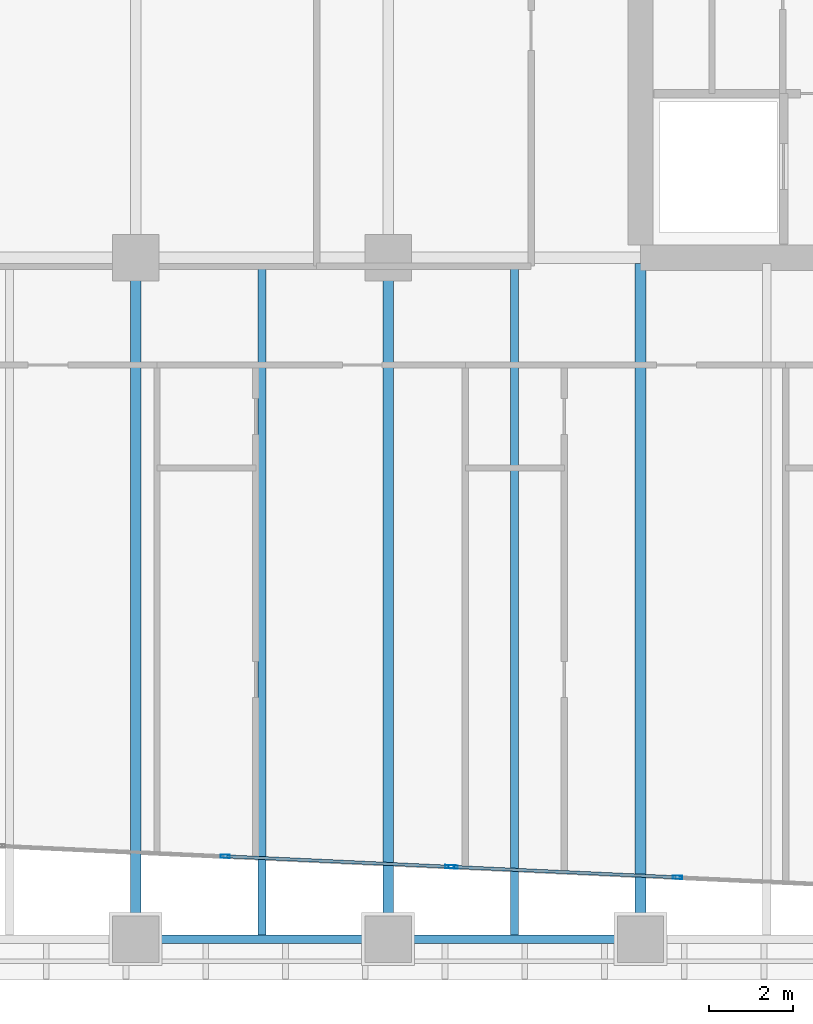
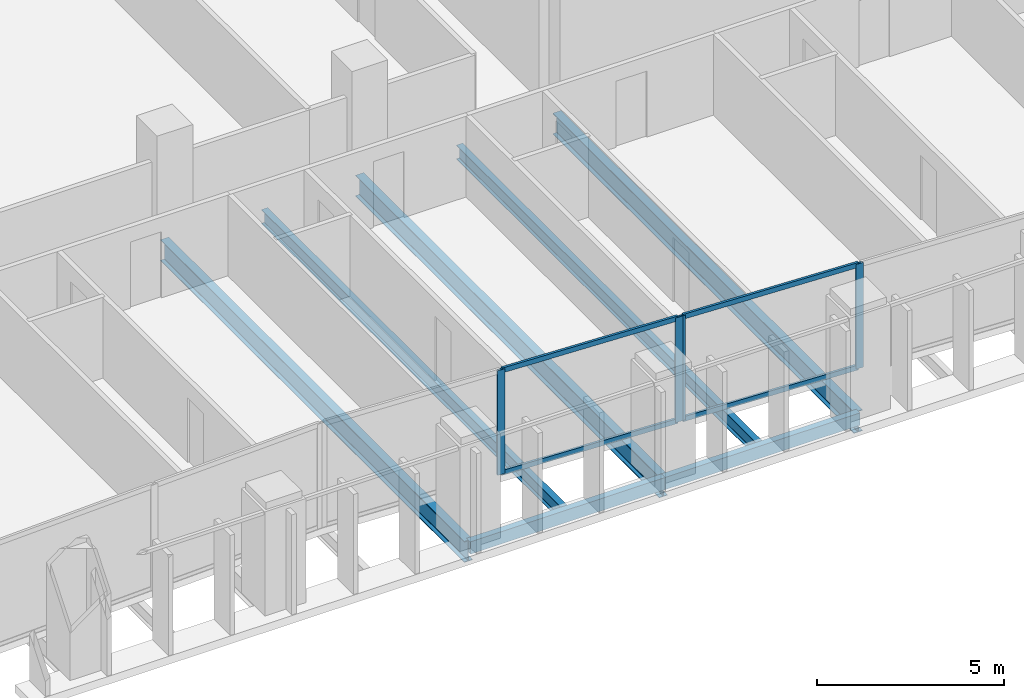
# One storey, part 7 of 32: 8 members, 7 beams, 2 elements without a shape of their own.
"""IFC4 building model written with IfcOpenShell, lengths in metres."""

from ifc_helpers import new_model, si_unit, direction, frame, origin, origin_2d, place, context, subcontext, project, spatial, hollow_rectangle, i_section, extrude, material, layer, layer_set, material_profile, profile_set, type_object, element, aggregate, save


model = new_model("IFC4")

# Units and contexts
model_context = context("Model", 3, precision=1e-05, world=origin(), true_north=direction((0.0, 1.0)))
body_context = subcontext(model_context, "Body", "Model", "MODEL_VIEW")
ifc_project = project(units=[si_unit("LENGTHUNIT", "METRE"), si_unit("AREAUNIT", "SQUARE_METRE"), si_unit("VOLUMEUNIT", "CUBIC_METRE"), si_unit("PLANEANGLEUNIT", "RADIAN"), si_unit("MASSUNIT", "GRAM", prefix="KILO")], contexts=[model_context])

# Site, building, storey
site_placement = place(None, origin())
site = spatial("IfcSite", under=ifc_project, at=site_placement, CompositionType="ELEMENT")
building_placement = place(site_placement, origin())
building = spatial("IfcBuilding", under=site, at=building_placement, Name="Tanjung Sevakor Pilgrim Tower", CompositionType="ELEMENT")
storey_placement = place(building_placement, frame((0.0, 0.0, 62.3701171875)))
storey = spatial("IfcBuildingStorey", under=building, at=storey_placement, Name="L17", CompositionType="ELEMENT", Elevation=62.3701171875)

# Beams
ifc_material_1 = material(Name="Steel S355J2", Category="steel")
ifc_material_profile_1 = material_profile(ifc_material_1, i_section(OverallWidth=0.25439453125, OverallDepth=0.6875, WebThickness=0.01318359375, FlangeThickness=0.02099609375, FilletRadius=0.01513671875, at=origin_2d()))
ifc_profile_set_1 = profile_set([ifc_material_profile_1], Name="Steel S355J2")
beam_type_1 = type_object("IfcBeamType", Name="BM-B-G2-UB_686x254x152", PredefinedType="BEAM", material=ifc_profile_set_1)
for number, where, z_axis, x_axis, name in (
    (1, (66.0, 8.39990234375, -0.56396484375), (0.0, 1.0, 0.0), (-1.0, 0.0, 0.0), "L17 MAIN Girder 027"),
    (2, (72.0, 8.39990234375, -0.56396484375), (0.0, 1.0, 0.0), (-1.0, 0.0, 0.0), "L17 MAIN Girder 032"),
):
    element("IfcBeam", number, at=place(storey_placement, frame(where, z_axis=z_axis, x_axis=x_axis)), inside=storey, type_object=beam_type_1, Name=name, PredefinedType="BEAM", context=body_context, shape_type="SweptSolid", body=[
        extrude(i_section(OverallWidth=0.25439453125, OverallDepth=0.6875, WebThickness=0.01318359375, FlangeThickness=0.02099609375, FilletRadius=0.01513671875, at=origin_2d()), origin(), (0.0, 0.0, 1.0), 16.2001953125),
    ])
beam_placement = place(storey_placement, frame((78.0, 8.39990234375, -0.56396484375), z_axis=(0.0, 1.0, 0.0), x_axis=(-1.0, 0.0, 0.0)))
element("IfcBeam", 3, at=beam_placement, inside=storey, type_object=beam_type_1, Name="L17 MAIN Girder 037", PredefinedType="BEAM", context=body_context, shape_type="SweptSolid", body=[
    extrude(i_section(OverallWidth=0.25439453125, OverallDepth=0.6875, WebThickness=0.01318359375, FlangeThickness=0.02099609375, FilletRadius=0.01513671875, at=origin_2d()), origin(), (0.0, 0.0, 1.0), 16.066162109375),
])
ifc_material_2 = material(Name="Steel S355J2", Category="steel")
ifc_material_profile_2 = material_profile(ifc_material_2, i_section(OverallWidth=0.19140625, OverallDepth=0.4599609375, WebThickness=0.010009765625, FlangeThickness=0.01611328125, FilletRadius=0.01025390625, at=origin_2d()))
ifc_profile_set_2 = profile_set([ifc_material_profile_2], Name="Steel S355J2")
beam_type_2 = type_object("IfcBeamType", Name="BM-B-J2-UB_457x191x82", PredefinedType="JOIST", material=ifc_profile_set_2)
for number, where, z_axis, x_axis, name in (
    (4, (69.0, 8.5, -0.4501953125), (0.0, 1.0, 0.0), (-1.0, 0.0, 0.0), "L17 MAIN Joist 030"),
    (5, (75.0, 8.5, -0.4501953125), (0.0, 1.0, 0.0), (-1.0, 0.0, 0.0), "L17 MAIN Joist 035"),
):
    element("IfcBeam", number, at=place(storey_placement, frame(where, z_axis=z_axis, x_axis=x_axis)), inside=storey, type_object=beam_type_2, Name=name, PredefinedType="JOIST", context=body_context, shape_type="SweptSolid", body=[
        extrude(i_section(OverallWidth=0.19140625, OverallDepth=0.4599609375, WebThickness=0.010009765625, FlangeThickness=0.01611328125, FilletRadius=0.01025390625, at=origin_2d()), origin(), (0.0, 0.0, 1.0), 15.966064453125),
    ])
ifc_material_3 = material(Name="Steel S355J2", Category="steel")
ifc_material_profile_3 = material_profile(ifc_material_3, hollow_rectangle(XDim=0.199951171875, YDim=0.39990234375, WallThickness=0.01611328125, at=origin_2d()))
ifc_profile_set_3 = profile_set([ifc_material_profile_3], Name="Steel S355J2")
beam_type_3 = type_object("IfcBeamType", Name="BM-B-SP2-RHS_400x200x16", PredefinedType="SPANDREL", material=ifc_profile_set_3)
for number, where, z_axis, x_axis, name in (
    (6, (66.0, 8.39990234375, -0.420166015625), (1.0, 0.0, 0.0), (0.0, 1.0, 0.0), "L17 Spandrel MAIN S-11"),
    (7, (72.0, 8.39990234375, -0.420166015625), (1.0, 0.0, 0.0), (0.0, 1.0, 0.0), "L17 Spandrel MAIN S-13"),
):
    element("IfcBeam", number, at=place(storey_placement, frame(where, z_axis=z_axis, x_axis=x_axis)), inside=storey, type_object=beam_type_3, Name=name, PredefinedType="SPANDREL", context=body_context, shape_type="SweptSolid", body=[
        extrude(hollow_rectangle(XDim=0.199951171875, YDim=0.39990234375, WallThickness=0.01611328125, at=origin_2d()), origin(), (0.0, 0.0, 1.0), 6.0),
    ])

# Curtain wall, members
ifc_material_4 = material(Name="Aluminium 6063-T6 and Low-E Glass", Category="aluminium")
ifc_layer = layer(ifc_material_4, 0.199951171875)
ifc_layer_set = layer_set([ifc_layer], Name="CW-SYS-PRAY")
curtain_wall_type = type_object("IfcCurtainWallType", Name="CW-SYS-PRAY", PredefinedType="NOTDEFINED", material=ifc_layer_set)
curtain_wall_1_placement = place(storey_placement, origin())
curtain_wall_1 = element("IfcCurtainWall", 8, at=curtain_wall_1_placement, inside=storey, type_object=curtain_wall_type, Name="L17 Curtain Wall CW-PRY-L17-10", PredefinedType="NOTDEFINED")
ifc_material_5 = material(Name="Aluminium 6063-T6", Category="aluminium")
ifc_material_profile_4 = material_profile(ifc_material_5, hollow_rectangle(XDim=0.074951171875, YDim=0.219970703125, WallThickness=0.0048828125, at=origin_2d()))
ifc_profile_set_4 = profile_set([ifc_material_profile_4], Name="Aluminium 6063-T6")
member_type_1 = type_object("IfcMemberType", Name="TYPE-CWM-2", PredefinedType="MULLION", material=ifc_profile_set_4)
member_1_placement = place(storey_placement, frame((68.128173828125, 10.3701171875, 0.0), z_axis=(0.0, 0.0, 1.0), x_axis=(0.046470450459, 0.998919665055, 0.0)))
member_1 = element("IfcMember", 9, at=member_1_placement, type_object=member_type_1, Name="CW-PRY mullion 2", PredefinedType="MULLION", context=body_context, shape_type="SweptSolid", body=[
    extrude(hollow_rectangle(XDim=0.074951171875, YDim=0.219970703125, WallThickness=0.0048828125, at=origin_2d()), origin(), (0.0, 0.0, 1.0), 3.409912109375),
])
member_2_placement = place(storey_placement, frame((73.468994140625, 10.12158203125, 0.0), z_axis=(0.0, 0.0, 1.0), x_axis=(0.046470450459, 0.998919665055, 0.0)))
member_2 = element("IfcMember", 10, at=member_2_placement, type_object=member_type_1, Name="CW-PRY mullion 3", PredefinedType="MULLION", context=body_context, shape_type="SweptSolid", body=[
    extrude(hollow_rectangle(XDim=0.074951171875, YDim=0.219970703125, WallThickness=0.0048828125, at=origin_2d()), origin(), (0.0, 0.0, 1.0), 3.409912109375),
])

curtain_wall_2_placement = place(storey_placement, origin())
curtain_wall_2 = element("IfcCurtainWall", 11, at=curtain_wall_2_placement, inside=storey, type_object=curtain_wall_type, Name="L17 Curtain Wall CW-PRY-L17-11", PredefinedType="NOTDEFINED")
member_3_placement = place(storey_placement, frame((73.5439453125, 10.1181640625, 0.0), z_axis=(0.0, 0.0, 1.0), x_axis=(0.046452337274, 0.998920507529, 0.0)))
member_3 = element("IfcMember", 12, at=member_3_placement, type_object=member_type_1, Name="CW-PRY mullion 1", PredefinedType="MULLION", context=body_context, shape_type="SweptSolid", body=[
    extrude(hollow_rectangle(XDim=0.074951171875, YDim=0.219970703125, WallThickness=0.0048828125, at=origin_2d()), origin(), (0.0, 0.0, 1.0), 3.409912109375),
])
member_4_placement = place(storey_placement, frame((78.878173828125, 9.8701171875, 0.0), z_axis=(0.0, 0.0, 1.0), x_axis=(0.046452337274, 0.998920507529, 0.0)))
member_4 = element("IfcMember", 13, at=member_4_placement, type_object=member_type_1, Name="CW-PRY mullion 2", PredefinedType="MULLION", context=body_context, shape_type="SweptSolid", body=[
    extrude(hollow_rectangle(XDim=0.074951171875, YDim=0.219970703125, WallThickness=0.0048828125, at=origin_2d()), origin(), (0.0, 0.0, 1.0), 3.409912109375),
])

# Member
ifc_material_6 = material(Name="Aluminium 6063-T6", Category="aluminium")
ifc_material_profile_5 = material_profile(ifc_material_6, hollow_rectangle(XDim=0.074951171875, YDim=0.159912109375, WallThickness=0.00439453125, at=origin_2d()))
ifc_profile_set_5 = profile_set([ifc_material_profile_5], Name="Aluminium 6063-T6")
member_type_2 = type_object("IfcMemberType", Name="TYPE-CWT-2", PredefinedType="USERDEFINED", material=ifc_profile_set_5)
member_5_placement = place(storey_placement, frame((68.165771484375, 10.3681640625, 0.037353515625), z_axis=(0.998920535913, -0.046451726901, 0.0), x_axis=(0.046451726901, 0.998920535913, 0.0)))
member_5 = element("IfcMember", 14, at=member_5_placement, type_object=member_type_2, Name="CW-PRY transom 2.1", ObjectType="TRANSOM", PredefinedType="USERDEFINED", context=body_context, shape_type="SweptSolid", body=[
    extrude(hollow_rectangle(XDim=0.074951171875, YDim=0.159912109375, WallThickness=0.00439453125, at=origin_2d()), origin(), (0.0, 0.0, 1.0), 5.271484375),
])

member_6_placement = place(storey_placement, frame((68.165771484375, 10.3681640625, 3.372314453125), z_axis=(0.998920535913, -0.046451726901, 0.0), x_axis=(0.046451726901, 0.998920535913, 0.0)))
member_6 = element("IfcMember", 15, at=member_6_placement, type_object=member_type_2, Name="CW-PRY transom 2.2", ObjectType="TRANSOM", PredefinedType="USERDEFINED", context=body_context, shape_type="SweptSolid", body=[
    extrude(hollow_rectangle(XDim=0.074951171875, YDim=0.159912109375, WallThickness=0.00439453125, at=origin_2d()), origin(), (0.0, 0.0, 1.0), 5.271484375),
])

aggregate(curtain_wall_1, [member_1, member_2, member_5, member_6])

member_7_placement = place(storey_placement, frame((73.581298828125, 10.1162109375, 0.037353515625), z_axis=(0.998922237038, -0.046415130635, 0.0), x_axis=(0.046415130635, 0.998922237038, 0.0)))
member_7 = element("IfcMember", 16, at=member_7_placement, type_object=member_type_2, Name="CW-PRY transom 1.1", ObjectType="TRANSOM", PredefinedType="USERDEFINED", context=body_context, shape_type="SweptSolid", body=[
    extrude(hollow_rectangle(XDim=0.074951171875, YDim=0.159912109375, WallThickness=0.00439453125, at=origin_2d()), origin(), (0.0, 0.0, 1.0), 5.26513671875),
])

member_8_placement = place(storey_placement, frame((73.581298828125, 10.1162109375, 3.372314453125), z_axis=(0.998922237038, -0.046415130635, 0.0), x_axis=(0.046415130635, 0.998922237038, 0.0)))
member_8 = element("IfcMember", 17, at=member_8_placement, type_object=member_type_2, Name="CW-PRY transom 1.2", ObjectType="TRANSOM", PredefinedType="USERDEFINED", context=body_context, shape_type="SweptSolid", body=[
    extrude(hollow_rectangle(XDim=0.074951171875, YDim=0.159912109375, WallThickness=0.00439453125, at=origin_2d()), origin(), (0.0, 0.0, 1.0), 5.26513671875),
])

aggregate(curtain_wall_2, [member_3, member_4, member_7, member_8])

save(model, "model.ifc")
